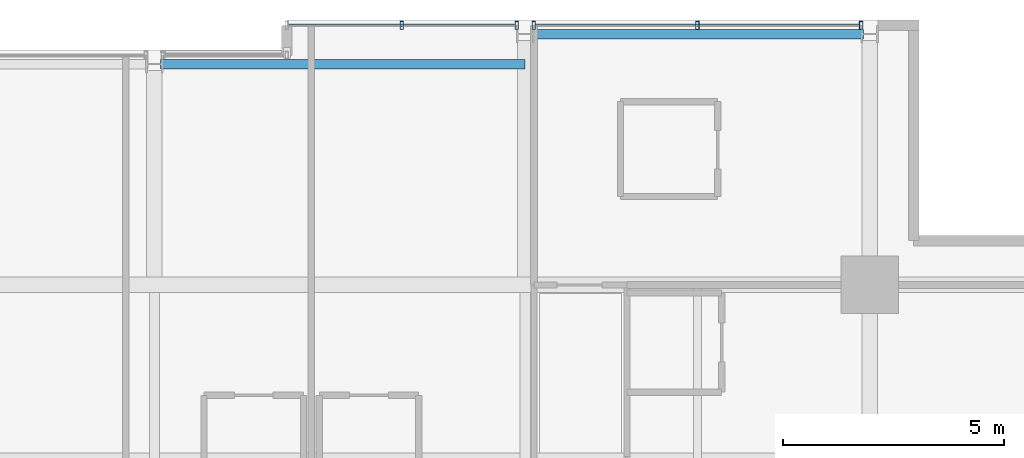
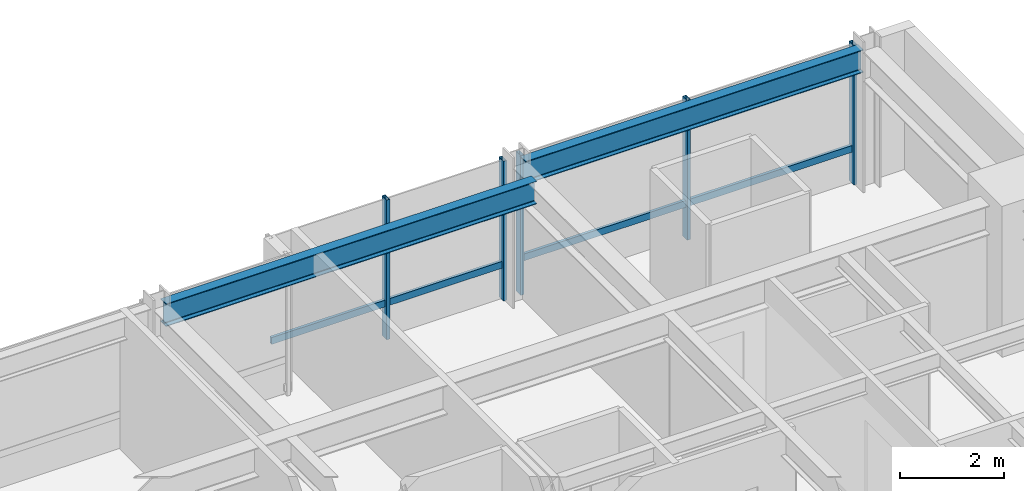
# One storey, part 23 of 32: 7 members, 2 beams, 2 elements without a shape of their own.
"""IFC4 building model written with IfcOpenShell, lengths in metres."""

from ifc_helpers import new_model, si_unit, direction, frame, origin, origin_2d, place, context, subcontext, project, spatial, hollow_rectangle, i_section, extrude, material, layer, layer_set, material_profile, profile_set, type_object, element, aggregate, save


model = new_model("IFC4")

# Units and contexts
model_context = context("Model", 3, precision=1e-05, world=origin(), true_north=direction((0.0, 1.0)))
body_context = subcontext(model_context, "Body", "Model", "MODEL_VIEW")
ifc_project = project(units=[si_unit("LENGTHUNIT", "METRE"), si_unit("AREAUNIT", "SQUARE_METRE"), si_unit("VOLUMEUNIT", "CUBIC_METRE"), si_unit("PLANEANGLEUNIT", "RADIAN"), si_unit("MASSUNIT", "GRAM", prefix="KILO")], contexts=[model_context])

# Site, building, storey
site_placement = place(None, origin())
site = spatial("IfcSite", under=ifc_project, at=site_placement, CompositionType="ELEMENT")
building_placement = place(site_placement, origin())
building = spatial("IfcBuilding", under=site, at=building_placement, Name="Drelvath Grand Hotel", CompositionType="ELEMENT")
storey_placement = place(building_placement, frame((0.0, 0.0, 182.35009765625)))
storey = spatial("IfcBuildingStorey", under=building, at=storey_placement, Name="L47", CompositionType="ELEMENT", Elevation=182.35009765625)

# Curtain wall, member
ifc_material_1 = material(Name="Brushed Pale-Silver Anodised Aluminium Frame", Category="aluminium")
ifc_layer = layer(ifc_material_1, 0.199951171875)
ifc_layer_set = layer_set([ifc_layer], Name="Brushed Pale-Silver Anodised Aluminium Frame")
curtain_wall_type = type_object("IfcCurtainWallType", Name="Stick Curtain Wall CW-04 Brushed Silver Upper-Mid", PredefinedType="NOTDEFINED", material=ifc_layer_set)
curtain_wall_1_placement = place(storey_placement, origin())
curtain_wall_1 = element("IfcCurtainWall", 1, at=curtain_wall_1_placement, inside=storey, type_object=curtain_wall_type, Name="L47 CW-04 Curtain Wall CW04-L47-NE1", PredefinedType="NOTDEFINED")
ifc_material_profile_1 = material_profile(ifc_material_1, hollow_rectangle(XDim=0.06494140625, YDim=0.159912109375, WallThickness=0.00390625, at=origin_2d()), Name="HSS160X65X4")
ifc_profile_set_1 = profile_set([ifc_material_profile_1], Name="Brushed Pale-Silver Anodised Aluminium Frame")
member_type_1 = type_object("IfcMemberType", Name="Curtain Wall Horizontal Transom CW-04 HSS160X65X4", PredefinedType="USERDEFINED", material=ifc_profile_set_1)
member_1_placement = place(storey_placement, frame((3.0400390625, 49.080078125, 0.822509765625), z_axis=(1.0, 0.0, 0.0), x_axis=(0.0, 1.0, 0.0)))
member_1 = element("IfcMember", 2, at=member_1_placement, type_object=member_type_1, Name="CW04-L47-NE1 Sill Transom", ObjectType="TRANSOM", PredefinedType="USERDEFINED", context=body_context, shape_type="SweptSolid", body=[
    extrude(hollow_rectangle(XDim=0.06494140625, YDim=0.159912109375, WallThickness=0.00390625, at=origin_2d()), origin(), (0.0, 0.0, 1.0), 5.128173828125),
])

curtain_wall_2_placement = place(storey_placement, origin())
curtain_wall_2 = element("IfcCurtainWall", 3, at=curtain_wall_2_placement, inside=storey, type_object=curtain_wall_type, Name="L47 CW-04 Curtain Wall CW04-L47-NE2", PredefinedType="NOTDEFINED")
member_2_placement = place(storey_placement, frame((8.631591796875, 49.080078125, 0.822509765625), z_axis=(1.0, 0.0, 0.0), x_axis=(0.0, 1.0, 0.0)))
member_2 = element("IfcMember", 4, at=member_2_placement, type_object=member_type_1, Name="CW04-L47-NE2 Sill Transom", ObjectType="TRANSOM", PredefinedType="USERDEFINED", context=body_context, shape_type="SweptSolid", body=[
    extrude(hollow_rectangle(XDim=0.06494140625, YDim=0.159912109375, WallThickness=0.00390625, at=origin_2d()), origin(), (0.0, 0.0, 1.0), 7.3369140625),
])

# Member
ifc_material_profile_2 = material_profile(ifc_material_1, hollow_rectangle(XDim=0.074951171875, YDim=0.179931640625, WallThickness=0.0048828125, at=origin_2d()), Name="HSS180X75X5")
ifc_profile_set_2 = profile_set([ifc_material_profile_2], Name="Brushed Pale-Silver Anodised Aluminium Frame")
member_type_2 = type_object("IfcMemberType", Name="Curtain Wall Vertical Mullion CW-04 HSS180X75X5", PredefinedType="MULLION", material=ifc_profile_set_2)
member_3_placement = place(storey_placement, frame((5.60400390625, 49.080078125, 0.0), z_axis=(0.0, 0.0, 1.0), x_axis=(1.0, 0.0, 0.0)))
member_3 = element("IfcMember", 5, at=member_3_placement, type_object=member_type_2, Name="CW04-L47-NE1 Mullion 2", PredefinedType="MULLION", context=body_context, shape_type="SweptSolid", body=[
    extrude(hollow_rectangle(XDim=0.074951171875, YDim=0.179931640625, WallThickness=0.0048828125, at=origin_2d()), origin(), (0.0, 0.0, 1.0), 3.289794921875),
])

member_4_placement = place(storey_placement, frame((8.208251953125, 49.080078125, 0.0), z_axis=(0.0, 0.0, 1.0), x_axis=(1.0, 0.0, 0.0)))
member_4 = element("IfcMember", 6, at=member_4_placement, type_object=member_type_2, Name="CW04-L47-NE1 Mullion 3", PredefinedType="MULLION", context=body_context, shape_type="SweptSolid", body=[
    extrude(hollow_rectangle(XDim=0.074951171875, YDim=0.179931640625, WallThickness=0.0048828125, at=origin_2d()), origin(), (0.0, 0.0, 1.0), 3.289794921875),
])

aggregate(curtain_wall_1, [member_3, member_4, member_1])

member_5_placement = place(storey_placement, frame((8.591796875, 49.080078125, 0.0), z_axis=(0.0, 0.0, 1.0), x_axis=(1.0, 0.0, 0.0)))
member_5 = element("IfcMember", 7, at=member_5_placement, type_object=member_type_2, Name="CW04-L47-NE2 Mullion 1", PredefinedType="MULLION", context=body_context, shape_type="SweptSolid", body=[
    extrude(hollow_rectangle(XDim=0.074951171875, YDim=0.179931640625, WallThickness=0.0048828125, at=origin_2d()), origin(), (0.0, 0.0, 1.0), 3.289794921875),
])

member_6_placement = place(storey_placement, frame((12.300048828125, 49.080078125, 0.0), z_axis=(0.0, 0.0, 1.0), x_axis=(1.0, 0.0, 0.0)))
member_6 = element("IfcMember", 8, at=member_6_placement, type_object=member_type_2, Name="CW04-L47-NE2 Mullion 2", PredefinedType="MULLION", context=body_context, shape_type="SweptSolid", body=[
    extrude(hollow_rectangle(XDim=0.074951171875, YDim=0.179931640625, WallThickness=0.0048828125, at=origin_2d()), origin(), (0.0, 0.0, 1.0), 3.289794921875),
])

member_7_placement = place(storey_placement, frame((16.00830078125, 49.080078125, 0.0), z_axis=(0.0, 0.0, 1.0), x_axis=(1.0, 0.0, 0.0)))
member_7 = element("IfcMember", 9, at=member_7_placement, type_object=member_type_2, Name="CW04-L47-NE2 Mullion 3", PredefinedType="MULLION", context=body_context, shape_type="SweptSolid", body=[
    extrude(hollow_rectangle(XDim=0.074951171875, YDim=0.179931640625, WallThickness=0.0048828125, at=origin_2d()), origin(), (0.0, 0.0, 1.0), 3.289794921875),
])

aggregate(curtain_wall_2, [member_5, member_6, member_7, member_2])

# Beams
ifc_material_2 = material(Name="Steel ASTM A992 Gr 50", Category="steel")
ifc_material_profile_3 = material_profile(ifc_material_2, i_section(OverallWidth=0.210205078125, OverallDepth=0.53662109375, WebThickness=0.010986328125, FlangeThickness=0.017333984375, FilletRadius=0.01806640625, at=origin_2d()), Name="W21X68")
ifc_profile_set_3 = profile_set([ifc_material_profile_3], Name="Steel ASTM A992 Gr 50")
beam_type = type_object("IfcBeamType", Name="Perimeter Spandrel Beam W21X68", PredefinedType="SPANDREL", material=ifc_profile_set_3)
beam_1_placement = place(storey_placement, frame((0.139892578125, 48.199951171875, 3.021484375), z_axis=(1.0, 0.0, 0.0), x_axis=(0.0, 1.0, 0.0)))
element("IfcBeam", 10, at=beam_1_placement, inside=storey, type_object=beam_type, Name="L47 Spandrel North Mid E", PredefinedType="SPANDREL", context=body_context, shape_type="SweptSolid", body=[
    extrude(i_section(OverallWidth=0.210205078125, OverallDepth=0.53662109375, WebThickness=0.010986328125, FlangeThickness=0.017333984375, FilletRadius=0.01806640625, at=origin_2d()), origin(), (0.0, 0.0, 1.0), 8.260009765625),
])
beam_2_placement = place(storey_placement, frame((8.5400390625, 48.8798828125, 3.021484375), z_axis=(1.0, 0.0, 0.0), x_axis=(0.0, 1.0, 0.0)))
element("IfcBeam", 11, at=beam_2_placement, inside=storey, type_object=beam_type, Name="L47 Spandrel North E", PredefinedType="SPANDREL", context=body_context, shape_type="SweptSolid", body=[
    extrude(i_section(OverallWidth=0.210205078125, OverallDepth=0.53662109375, WebThickness=0.010986328125, FlangeThickness=0.017333984375, FilletRadius=0.01806640625, at=origin_2d()), origin(), (0.0, 0.0, 1.0), 7.52001953125),
])

save(model, "model.ifc")
